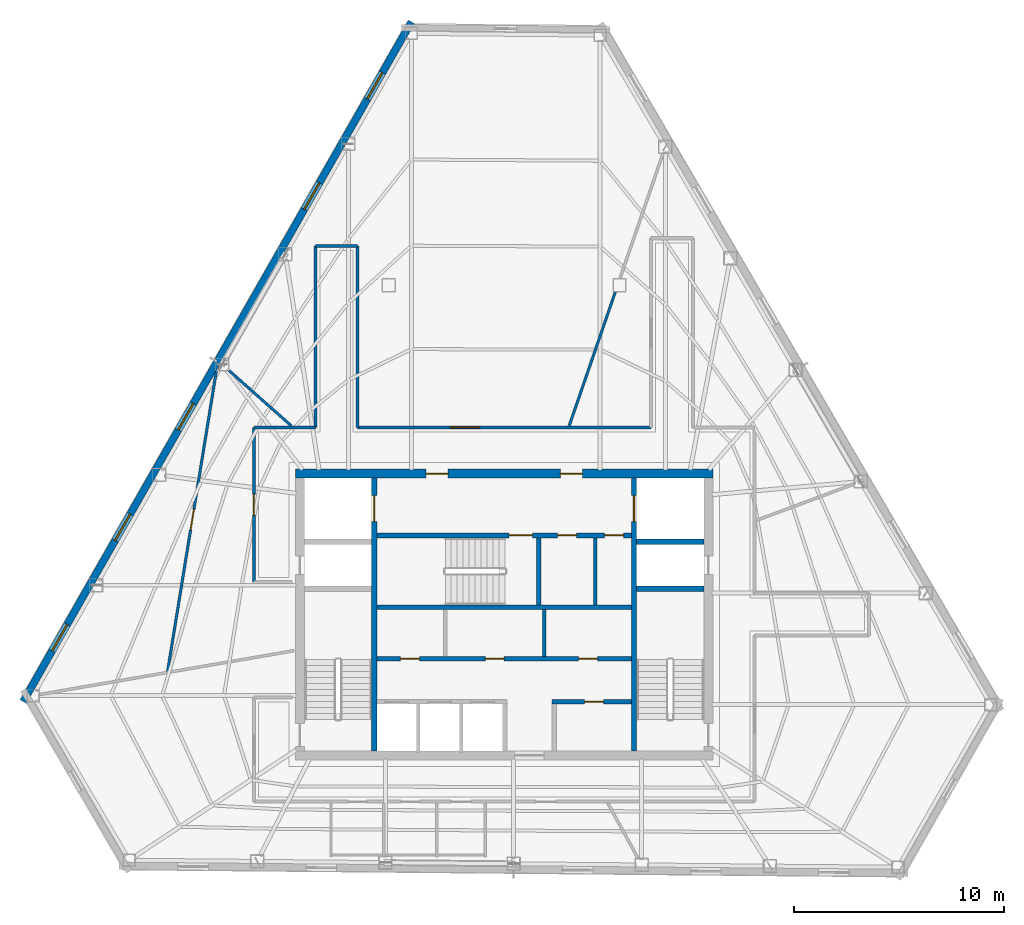
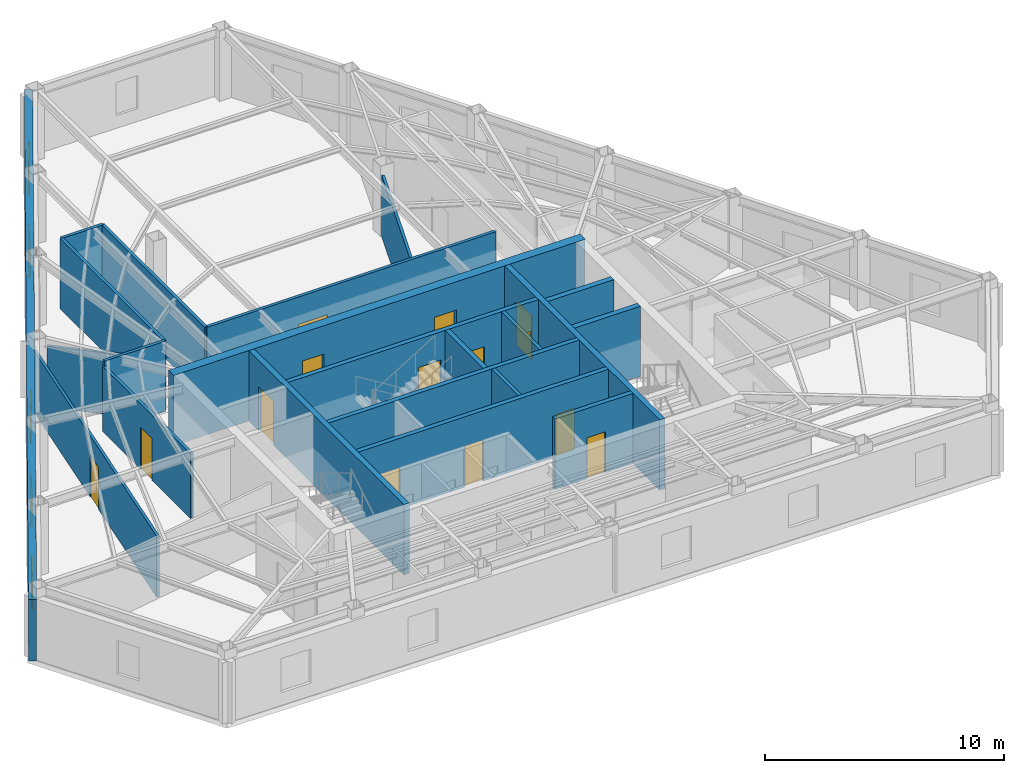
# One storey, part 8 of 11: 22 walls, 14 doors, 5 windows, 19 openings.
"""IFC4 building model written with IfcOpenShell, lengths in metres."""

import ifcopenshell
import ifcopenshell.guid

model = None  # the IFC model being written
_history = None  # IfcOwnerHistory: only IFC2X3 demands one
_inside = {}  # id of a spatial element -> (the spatial element, [elements in it])
_under = {}  # id of a project, library or spatial element -> (it, [spatial elements below it])
_declared = {}  # id of a project -> (the project, [libraries it declares])
_typed = {}  # id of a type object -> (the type object, [elements of that type])
_made_of = {}  # id of a material, layer set ... -> (it, [elements and type objects made of it])


def new_model(schema):
    """Start an empty IFC model of exactly this schema.

    Asked for "IFC4X3", IfcOpenShell would pick the latest addendum, in which some entities
    have other attributes; the version numbers below select the first issue.
    IFC2X3 requires an IfcOwnerHistory on every rooted entity: one is made here for all.
    """
    global model, _history
    if schema == "IFC4X3":
        model = ifcopenshell.file(schema_version=(4, 3, 0, 0))
    else:
        model = ifcopenshell.file(schema=schema)
    _inside.clear()
    _under.clear()
    _declared.clear()
    _typed.clear()
    _made_of.clear()
    _history = None
    if model.schema == "IFC2X3":
        org = make("IfcOrganization", Name="unknown")
        user = make(
            "IfcPersonAndOrganization",
            ThePerson=make("IfcPerson", FamilyName="unknown"),
            TheOrganization=org,
        )
        app = make(
            "IfcApplication",
            ApplicationDeveloper=org,
            Version="unknown",
            ApplicationFullName="unknown",
            ApplicationIdentifier="unknown",
        )
        _history = make(
            "IfcOwnerHistory",
            OwningUser=user,
            OwningApplication=app,
            ChangeAction="ADDED",
            CreationDate=0,
        )
    return model


def make(cls, **values):
    """One entity of the class cls with the attributes given. An attribute that is None is left unset."""
    return model.create_entity(
        cls, **{name: value for name, value in values.items() if value is not None}
    )


def rooted(cls, **values):
    """An entity with a GlobalId (a new one), such as an element, a storey or a relation."""
    return make(cls, GlobalId=ifcopenshell.guid.new(), OwnerHistory=_history, **values)


def si_unit(unit_type, name, prefix=None):
    """IfcSIUnit, for example si_unit("LENGTHUNIT", "METRE", prefix="MILLI")."""
    return make("IfcSIUnit", UnitType=unit_type, Prefix=prefix, Name=name)


def assignment(units):
    """IfcUnitAssignment: the units of a project."""
    return None if units is None else make("IfcUnitAssignment", Units=units)


def point(xyz):
    """IfcCartesianPoint."""
    return None if xyz is None else make("IfcCartesianPoint", Coordinates=xyz)


def direction(xyz):
    """IfcDirection."""
    return None if xyz is None else make("IfcDirection", DirectionRatios=xyz)


def frame(location, z_axis=None, x_axis=None):
    """IfcAxis2Placement3D, a coordinate frame: its origin and axes. An axis left out is left unset."""
    return make(
        "IfcAxis2Placement3D",
        Location=point(location),
        Axis=direction(z_axis),
        RefDirection=direction(x_axis),
    )


def frame_2d(location, x_axis=None):
    """IfcAxis2Placement2D, a coordinate frame in the plane: its origin and x axis."""
    return make(
        "IfcAxis2Placement2D", Location=point(location), RefDirection=direction(x_axis)
    )


def origin():
    """The frame at (0, 0, 0) with its axes left unset."""
    return frame((0.0, 0.0, 0.0))


def place(relative_to, where):
    """IfcLocalPlacement: puts the frame where relative to a parent placement (None: the world)."""
    return make(
        "IfcLocalPlacement", PlacementRelTo=relative_to, RelativePlacement=where
    )


def context(
    kind, dimensions, precision=None, world=None, true_north=None, identifier=None
):
    """IfcGeometricRepresentationContext, for example the 3D "Model" context."""
    return make(
        "IfcGeometricRepresentationContext",
        ContextIdentifier=identifier,
        ContextType=kind,
        CoordinateSpaceDimension=dimensions,
        Precision=precision,
        WorldCoordinateSystem=world,
        TrueNorth=true_north,
    )


def subcontext(parent, identifier, kind, view, scale=None):
    """IfcGeometricRepresentationSubContext, for example "Body" below "Model"."""
    return make(
        "IfcGeometricRepresentationSubContext",
        ContextIdentifier=identifier,
        ContextType=kind,
        ParentContext=parent,
        TargetScale=scale,
        TargetView=view,
    )


def project(units=None, contexts=None):
    """IfcProject with its units and contexts."""
    return rooted(
        "IfcProject",
        Name="project",
        RepresentationContexts=contexts,
        UnitsInContext=assignment(units),
    )


def spatial(cls, under=None, at=None, **own):
    """A site, building, storey or space (cls), placed at a placement, below another one or the project."""
    s = rooted(cls, ObjectPlacement=at, **own)
    if under is not None:
        _under.setdefault(under.id(), (under, []))[1].append(s)
    return s


def profile(cls, at=None, kind="AREA", **sizes):
    """A parametric profile (cls). Its sizes go by their IFC names, for example OverallWidth=200.0."""
    return make(cls, ProfileType=kind, Position=at, **sizes)


def rectangle(**sizes):
    """IfcRectangleProfileDef."""
    return profile("IfcRectangleProfileDef", **sizes)


def extrude(swept, where, along, depth):
    """IfcExtrudedAreaSolid: the profile swept, set in the frame where, extruded along a direction by depth."""
    return make(
        "IfcExtrudedAreaSolid",
        SweptArea=swept,
        Position=where,
        ExtrudedDirection=direction(along),
        Depth=depth,
    )


def shape(context_of_items, identifier, shape_type, items):
    """IfcShapeRepresentation: the items that make up one representation, for example the "Body"."""
    return make(
        "IfcShapeRepresentation",
        ContextOfItems=context_of_items,
        RepresentationIdentifier=identifier,
        RepresentationType=shape_type,
        Items=items,
    )


def material(Name=None, Category=None):
    """IfcMaterial."""
    return make("IfcMaterial", Name=Name, Category=Category)


def layer(
    of_material, thickness, ventilated=None, Name=None, Category=None, Priority=None
):
    """IfcMaterialLayer: one layer of a wall or slab, of a material (None: an air gap)."""
    return make(
        "IfcMaterialLayer",
        Material=of_material,
        LayerThickness=thickness,
        IsVentilated=ventilated,
        Name=Name,
        Category=Category,
        Priority=Priority,
    )


def layer_set(layers, Name=None):
    """IfcMaterialLayerSet."""
    return make("IfcMaterialLayerSet", MaterialLayers=layers, LayerSetName=Name)


def made_of(thing, what):
    """Note that an element or type object is made of a material, layer set ...; save() writes the relation."""
    if what is not None:
        _made_of.setdefault(what.id(), (what, []))[1].append(thing)
    return thing


def type_object(cls, material=None, **own):
    """A type object (cls), such as IfcWallType, which elements share."""
    return made_of(rooted(cls, **own), material)


def element(
    cls,
    number,
    at=None,
    inside=None,
    cuts=None,
    type_object=None,
    material=None,
    context=None,
    identifier="Body",
    shape_type=None,
    held_by="IfcProductDefinitionShape",
    body=None,
    shapes=None,
    **own,
):
    """One element of the class cls, such as IfcWall. Its Tag is "e" and its number.

    at: its placement. inside: the storey or other place that contains it. cuts: it is an
    opening in that element (IfcRelVoidsElement). A single representation is given by context,
    identifier, shape_type and body (its items); several are given by shapes. held_by: the class
    of the entity that holds the representations. save() writes the other relations.
    """
    e = rooted(cls, Tag="e%d" % number, ObjectPlacement=at, **own)
    if body is not None:
        shapes = [shape(context, identifier, shape_type, body)]
    if shapes is not None:
        e.Representation = make(held_by, Representations=shapes)
    if inside is not None:
        _inside.setdefault(inside.id(), (inside, []))[1].append(e)
    if cuts is not None:
        rooted(
            "IfcRelVoidsElement", RelatingBuildingElement=cuts, RelatedOpeningElement=e
        )
    if type_object is not None:
        _typed.setdefault(type_object.id(), (type_object, []))[1].append(e)
    return made_of(e, material)


def fill(opening, filler):
    """IfcRelFillsElement: the door or window that sits in an opening."""
    return rooted(
        "IfcRelFillsElement",
        RelatingOpeningElement=opening,
        RelatedBuildingElement=filler,
    )


def aggregate(whole, parts):
    """IfcRelAggregates: a whole, such as a stair, and the parts it consists of."""
    return rooted("IfcRelAggregates", RelatingObject=whole, RelatedObjects=parts)


def save(model, path):
    """Write the relations noted so far, then the file.

    IfcRelAggregates (storeys below a building ...), IfcRelContainedInSpatialStructure (elements
    in a storey), IfcRelDefinesByType, IfcRelAssociatesMaterial and IfcRelDeclares: one each for
    every whole, place, type object, material and project.
    """
    for whole, parts in _under.values():
        aggregate(whole, parts)
    for where, things in _inside.values():
        rooted(
            "IfcRelContainedInSpatialStructure",
            RelatedElements=things,
            RelatingStructure=where,
        )
    for kind, things in _typed.values():
        rooted("IfcRelDefinesByType", RelatedObjects=things, RelatingType=kind)
    for what, things in _made_of.values():
        rooted("IfcRelAssociatesMaterial", RelatedObjects=things, RelatingMaterial=what)
    for by, libraries in _declared.values():
        rooted("IfcRelDeclares", RelatingContext=by, RelatedDefinitions=libraries)
    model.write(path)


model = new_model("IFC4")

# Units and contexts
model_context = context("Model", 3, precision=1e-05, world=origin(), true_north=direction((0.0, 1.0)))
body_context = subcontext(model_context, "Body", "Model", "MODEL_VIEW")
ifc_project = project(units=[si_unit("LENGTHUNIT", "METRE"), si_unit("AREAUNIT", "SQUARE_METRE"), si_unit("VOLUMEUNIT", "CUBIC_METRE"), si_unit("PLANEANGLEUNIT", "RADIAN"), si_unit("MASSUNIT", "GRAM", prefix="KILO")], contexts=[model_context])

# Site, building, storey
site_placement = place(None, origin())
site = spatial("IfcSite", under=ifc_project, at=site_placement, CompositionType="ELEMENT")
building_placement = place(site_placement, origin())
building = spatial("IfcBuilding", under=site, at=building_placement, Name="Kavelnor Concourse Tower", CompositionType="ELEMENT")
storey_placement = place(building_placement, frame((0.0, 0.0, 184.25)))
storey = spatial("IfcBuildingStorey", under=building, at=storey_placement, Name="L46", CompositionType="ELEMENT", Elevation=184.25)

# Wall, openings, doors
ifc_material_1 = material(Name="Concrete C50/60", Category="concrete")
ifc_layer_1 = layer(ifc_material_1, 0.43994140625, Name="Concrete C50/60")
ifc_layer_set_1 = layer_set([ifc_layer_1], Name="Concrete C50/60")
wall_type_1 = type_object("IfcWallType", Name="WL-CORE-Z3-440", PredefinedType="SOLIDWALL", material=ifc_layer_set_1)
wall_1_placement = place(storey_placement, frame((28.0400390625, 22.820068359375, 0.0), z_axis=(0.0, 0.0, 1.0), x_axis=(1.0, 0.0, 0.0)))
wall_1 = element("IfcWall", 1, at=wall_1_placement, inside=storey, type_object=wall_type_1, Name="L46 Central Core North Shear Wall", PredefinedType="SOLIDWALL", context=body_context, shape_type="SweptSolid", body=[
    extrude(rectangle(XDim=19.919921875, YDim=0.43994140625, at=frame_2d((9.9599609375, 0.0))), origin(), (0.0, 0.0, 1.0), 3.60009765625),
])
opening_1_placement = place(wall_1_placement, frame((6.235107421875, 0.0, 0.0)))
opening_1 = element("IfcOpeningElement", 2, at=opening_1_placement, cuts=wall_1, Name="Opening FD-105", PredefinedType="OPENING", context=body_context, shape_type="SweptSolid", body=[
    extrude(rectangle(XDim=1.050048828125, YDim=2.14990234375, at=frame_2d((0.52490234375, 1.074951171875))), frame((0.0, 0.22998046875, 0.0), z_axis=(0.0, -1.0, 0.0), x_axis=(1.0, 0.0, 0.0)), (0.0, 0.0, 1.0), 0.4599609375),
])
opening_2_placement = place(wall_1_placement, frame((12.635009765625, 0.0, 0.0)))
opening_2 = element("IfcOpeningElement", 3, at=opening_2_placement, cuts=wall_1, Name="Opening FD-105", PredefinedType="OPENING", context=body_context, shape_type="SweptSolid", body=[
    extrude(rectangle(XDim=1.050048828125, YDim=2.14990234375, at=frame_2d((0.52490234375, 1.074951171875))), frame((0.0, 0.22998046875, 0.0), z_axis=(0.0, -1.0, 0.0), x_axis=(1.0, 0.0, 0.0)), (0.0, 0.0, 1.0), 0.4599609375),
])
ifc_material_2 = material(Name="Steel Grade 350", Category="steel")
door_type_1 = type_object("IfcDoorType", Name="DR-LOBBY-FIRE-1050", OperationType="NOTDEFINED", PredefinedType="DOOR", material=ifc_material_2)
door_1_placement = place(opening_1_placement, origin())
door_1 = element("IfcDoor", 4, at=door_1_placement, inside=storey, type_object=door_type_1, Name="L46 Emergency Lift Lobby West Door", OperationType="SINGLE_SWING_LEFT", OverallHeight=2.14990234375, OverallWidth=1.050048828125, PredefinedType="DOOR", context=body_context, shape_type="SweptSolid", body=[
    extrude(rectangle(XDim=1.050048828125, YDim=2.14990234375, at=frame_2d((0.52490234375, 1.074951171875))), frame((0.0, 0.02490234375, 0.0), z_axis=(0.0, -1.0, 0.0), x_axis=(1.0, 0.0, 0.0)), (0.0, 0.0, 1.0), 0.050048828125),
])
fill(opening_1, door_1)
door_2_placement = place(opening_2_placement, origin())
door_2 = element("IfcDoor", 5, at=door_2_placement, inside=storey, type_object=door_type_1, Name="L46 Emergency Lift Lobby East Door", OperationType="SINGLE_SWING_RIGHT", OverallHeight=2.14990234375, OverallWidth=1.050048828125, PredefinedType="DOOR", context=body_context, shape_type="SweptSolid", body=[
    extrude(rectangle(XDim=1.050048828125, YDim=2.14990234375, at=frame_2d((0.52490234375, 1.074951171875))), frame((0.0, 0.02490234375, 0.0), z_axis=(0.0, -1.0, 0.0), x_axis=(1.0, 0.0, 0.0)), (0.0, 0.0, 1.0), 0.050048828125),
])
fill(opening_2, door_2)

# Wall, openings, windows
ifc_material_3 = material(Name="Red-ochre clay face brick masonry", Category="masonry")
ifc_layer_2 = layer(ifc_material_3, 0.35009765625, Name="Red-ochre clay face brick masonry")
ifc_layer_set_2 = layer_set([ifc_layer_2], Name="Red-ochre clay face brick masonry")
wall_type_2 = type_object("IfcWallType", Name="WL-EXT-RED-BRICK-PIER-350", PredefinedType="STANDARD", material=ifc_layer_set_2)
wall_2_placement = place(storey_placement, frame((15.064208984375, 11.95263671875, 0.0), z_axis=(0.0, 0.0, 1.0), x_axis=(0.495993114815, 0.86832645362, 0.0)))
wall_2 = element("IfcWall", 6, at=wall_2_placement, inside=storey, type_object=wall_type_2, Name="L46 Exterior Brick Facade Wall E1", PredefinedType="STANDARD", context=body_context, shape_type="SweptSolid", body=[
    extrude(rectangle(XDim=37.323974609375, YDim=0.35009765625, at=frame_2d((18.662109375, 0.0))), origin(), (0.0, 0.0, 1.0), 3.132080078125),
])
opening_3_placement = place(wall_2_placement, frame((33.0869140625, 0.0, 0.64990234375)))
opening_3 = element("IfcOpeningElement", 7, at=opening_3_placement, cuts=wall_2, Name="Opening W-03", PredefinedType="OPENING", context=body_context, shape_type="SweptSolid", body=[
    extrude(rectangle(XDim=1.449951171875, YDim=1.75, at=frame_2d((0.72509765625, 0.875))), frame((0.0, 0.18505859375, 0.0), z_axis=(0.0, -1.0, 0.0), x_axis=(1.0, 0.0, 0.0)), (0.0, 0.0, 1.0), 0.3701171875),
])
opening_4_placement = place(wall_2_placement, frame((27.026123046875, 0.0, 0.64990234375)))
opening_4 = element("IfcOpeningElement", 8, at=opening_4_placement, cuts=wall_2, Name="Opening W-03", PredefinedType="OPENING", context=body_context, shape_type="SweptSolid", body=[
    extrude(rectangle(XDim=1.449951171875, YDim=1.75, at=frame_2d((0.72509765625, 0.875))), frame((0.0, 0.18505859375, 0.0), z_axis=(0.0, -1.0, 0.0), x_axis=(1.0, 0.0, 0.0)), (0.0, 0.0, 1.0), 0.3701171875),
])
opening_5_placement = place(wall_2_placement, frame((14.904296875, 0.0, 0.64990234375)))
opening_5 = element("IfcOpeningElement", 9, at=opening_5_placement, cuts=wall_2, Name="Opening W-03", PredefinedType="OPENING", context=body_context, shape_type="SweptSolid", body=[
    extrude(rectangle(XDim=1.449951171875, YDim=1.75, at=frame_2d((0.72509765625, 0.875))), frame((0.0, 0.18505859375, 0.0), z_axis=(0.0, -1.0, 0.0), x_axis=(1.0, 0.0, 0.0)), (0.0, 0.0, 1.0), 0.3701171875),
])
opening_6_placement = place(wall_2_placement, frame((8.843505859375, 0.0, 0.64990234375)))
opening_6 = element("IfcOpeningElement", 10, at=opening_6_placement, cuts=wall_2, Name="Opening W-03", PredefinedType="OPENING", context=body_context, shape_type="SweptSolid", body=[
    extrude(rectangle(XDim=1.449951171875, YDim=1.75, at=frame_2d((0.72509765625, 0.875))), frame((0.0, 0.18505859375, 0.0), z_axis=(0.0, -1.0, 0.0), x_axis=(1.0, 0.0, 0.0)), (0.0, 0.0, 1.0), 0.3701171875),
])
opening_7_placement = place(wall_2_placement, frame((2.782470703125, 0.0, 0.64990234375)))
opening_7 = element("IfcOpeningElement", 11, at=opening_7_placement, cuts=wall_2, Name="Opening W-03", PredefinedType="OPENING", context=body_context, shape_type="SweptSolid", body=[
    extrude(rectangle(XDim=1.449951171875, YDim=1.75, at=frame_2d((0.72509765625, 0.875))), frame((0.0, 0.18505859375, 0.0), z_axis=(0.0, -1.0, 0.0), x_axis=(1.0, 0.0, 0.0)), (0.0, 0.0, 1.0), 0.3701171875),
])
ifc_material_4 = material(Name="Double low-E argon insulated glazing", Category="glass")
window_type = type_object("IfcWindowType", Name="WIN-PIER-Z3-1500", PartitioningType="SINGLE_PANEL", PredefinedType="WINDOW", material=ifc_material_4)
window_1_placement = place(opening_3_placement, origin())
window_1 = element("IfcWindow", 12, at=window_1_placement, inside=storey, type_object=window_type, Name="L46 Deep-Set Brick Pier Window F0-B0", OverallHeight=1.75, OverallWidth=1.449951171875, PartitioningType="SINGLE_PANEL", PredefinedType="WINDOW", context=body_context, shape_type="SweptSolid", body=[
    extrude(rectangle(XDim=1.449951171875, YDim=1.75, at=frame_2d((0.72509765625, 0.875))), frame((0.0, 0.030029296875, 0.0), z_axis=(0.0, -1.0, 0.0), x_axis=(1.0, 0.0, 0.0)), (0.0, 0.0, 1.0), 0.06005859375),
])
fill(opening_3, window_1)
window_2_placement = place(opening_4_placement, origin())
window_2 = element("IfcWindow", 13, at=window_2_placement, inside=storey, type_object=window_type, Name="L46 Deep-Set Brick Pier Window F0-B1", OverallHeight=1.75, OverallWidth=1.449951171875, PartitioningType="SINGLE_PANEL", PredefinedType="WINDOW", context=body_context, shape_type="SweptSolid", body=[
    extrude(rectangle(XDim=1.449951171875, YDim=1.75, at=frame_2d((0.72509765625, 0.875))), frame((0.0, 0.030029296875, 0.0), z_axis=(0.0, -1.0, 0.0), x_axis=(1.0, 0.0, 0.0)), (0.0, 0.0, 1.0), 0.06005859375),
])
fill(opening_4, window_2)
window_3_placement = place(opening_5_placement, origin())
window_3 = element("IfcWindow", 14, at=window_3_placement, inside=storey, type_object=window_type, Name="L46 Deep-Set Brick Pier Window F0-B3", OverallHeight=1.75, OverallWidth=1.449951171875, PartitioningType="SINGLE_PANEL", PredefinedType="WINDOW", context=body_context, shape_type="SweptSolid", body=[
    extrude(rectangle(XDim=1.449951171875, YDim=1.75, at=frame_2d((0.72509765625, 0.875))), frame((0.0, 0.030029296875, 0.0), z_axis=(0.0, -1.0, 0.0), x_axis=(1.0, 0.0, 0.0)), (0.0, 0.0, 1.0), 0.06005859375),
])
fill(opening_5, window_3)
window_4_placement = place(opening_6_placement, origin())
window_4 = element("IfcWindow", 15, at=window_4_placement, inside=storey, type_object=window_type, Name="L46 Deep-Set Brick Pier Window F0-B4", OverallHeight=1.75, OverallWidth=1.449951171875, PartitioningType="SINGLE_PANEL", PredefinedType="WINDOW", context=body_context, shape_type="SweptSolid", body=[
    extrude(rectangle(XDim=1.449951171875, YDim=1.75, at=frame_2d((0.72509765625, 0.875))), frame((0.0, 0.030029296875, 0.0), z_axis=(0.0, -1.0, 0.0), x_axis=(1.0, 0.0, 0.0)), (0.0, 0.0, 1.0), 0.06005859375),
])
fill(opening_6, window_4)
window_5_placement = place(opening_7_placement, origin())
window_5 = element("IfcWindow", 16, at=window_5_placement, inside=storey, type_object=window_type, Name="L46 Deep-Set Brick Pier Window F0-B5", OverallHeight=1.75, OverallWidth=1.449951171875, PartitioningType="SINGLE_PANEL", PredefinedType="WINDOW", context=body_context, shape_type="SweptSolid", body=[
    extrude(rectangle(XDim=1.449951171875, YDim=1.75, at=frame_2d((0.72509765625, 0.875))), frame((0.0, 0.030029296875, 0.0), z_axis=(0.0, -1.0, 0.0), x_axis=(1.0, 0.0, 0.0)), (0.0, 0.0, 1.0), 0.06005859375),
])
fill(opening_7, window_5)

# Wall, opening, door
ifc_material_5 = material(Name="Gypsum plasterboard on light-gauge steel studs", Category="steel")
ifc_layer_3 = layer(ifc_material_5, 0.14501953125, Name="Gypsum plasterboard on light-gauge steel studs")
ifc_layer_set_3 = layer_set([ifc_layer_3], Name="Gypsum plasterboard on light-gauge steel studs")
wall_type_3 = type_object("IfcWallType", Name="WL-INT-CORR-145", PredefinedType="PARTITIONING", material=ifc_layer_set_3)
wall_3_placement = place(storey_placement, frame((26.06005859375, 17.64990234375, 0.0), z_axis=(0.0, 0.0, 1.0), x_axis=(0.0, 1.0, 0.0)))
wall_3 = element("IfcWall", 17, at=wall_3_placement, inside=storey, type_object=wall_type_3, Name="L46 Corridor Wall WL-L46-CR-02", PredefinedType="PARTITIONING", context=body_context, shape_type="SweptSolid", body=[
    extrude(rectangle(XDim=7.3701171875, YDim=0.14501953125, at=frame_2d((3.68505859375, 0.0))), origin(), (0.0, 0.0, 1.0), 3.339111328125),
])
opening_8_placement = place(wall_3_placement, frame((3.195068359375, 0.0, 0.0)))
opening_8 = element("IfcOpeningElement", 18, at=opening_8_placement, cuts=wall_3, Name="Opening OD-098", PredefinedType="OPENING", context=body_context, shape_type="SweptSolid", body=[
    extrude(rectangle(XDim=0.97998046875, YDim=2.14990234375, at=frame_2d((0.489990234375, 1.074951171875))), frame((0.0, 0.08251953125, 0.0), z_axis=(0.0, -1.0, 0.0), x_axis=(1.0, 0.0, 0.0)), (0.0, 0.0, 1.0), 0.1650390625),
])
ifc_material_6 = material(Name="Solid-core hardwood timber", Category="wood")
door_type_2 = type_object("IfcDoorType", Name="DR-OFFICE-980", OperationType="NOTDEFINED", PredefinedType="DOOR", material=ifc_material_6)
door_3_placement = place(opening_8_placement, origin())
door_3 = element("IfcDoor", 19, at=door_3_placement, inside=storey, type_object=door_type_2, Name="L46 Executive Dining Room 03 Door", OperationType="SINGLE_SWING_RIGHT", OverallHeight=2.14990234375, OverallWidth=0.97998046875, PredefinedType="DOOR", context=body_context, shape_type="SweptSolid", body=[
    extrude(rectangle(XDim=0.97998046875, YDim=2.14990234375, at=frame_2d((0.489990234375, 1.074951171875))), frame((0.0, 0.02490234375, 0.0), z_axis=(0.0, -1.0, 0.0), x_axis=(1.0, 0.0, 0.0)), (0.0, 0.0, 1.0), 0.050048828125),
])
fill(opening_8, door_3)

# Walls
wall_4_placement = place(storey_placement, frame((26.06005859375, 25.02001953125, 0.0), z_axis=(0.0, 0.0, 1.0), x_axis=(1.0, 0.0, 0.0)))
element("IfcWall", 20, at=wall_4_placement, inside=storey, type_object=wall_type_3, Name="L46 Corridor Wall WL-L46-CR-03", PredefinedType="PARTITIONING", context=body_context, shape_type="SweptSolid", body=[
    extrude(rectangle(XDim=2.93994140625, YDim=0.14501953125, at=frame_2d((1.469970703125, 0.0))), origin(), (0.0, 0.0, 1.0), 3.60009765625),
])
wall_5_placement = place(storey_placement, frame((29.0, 25.02001953125, 0.0), z_axis=(0.0, 0.0, 1.0), x_axis=(0.0, 1.0, 0.0)))
element("IfcWall", 21, at=wall_5_placement, inside=storey, type_object=wall_type_3, Name="L46 Corridor Wall WL-L46-CR-04", PredefinedType="PARTITIONING", context=body_context, shape_type="SweptSolid", body=[
    extrude(rectangle(XDim=8.661865234375, YDim=0.14501953125, at=frame_2d((4.3310546875, 0.0))), origin(), (0.0, 0.0, 1.0), 3.60009765625),
])
wall_6_placement = place(storey_placement, frame((29.0, 33.681884765625, 0.0), z_axis=(0.0, 0.0, 1.0), x_axis=(1.0, 0.0, 0.0)))
element("IfcWall", 22, at=wall_6_placement, inside=storey, type_object=wall_type_3, Name="L46 Corridor Wall WL-L46-CR-05", PredefinedType="PARTITIONING", context=body_context, shape_type="SweptSolid", body=[
    extrude(rectangle(XDim=2.0, YDim=0.14501953125, at=frame_2d((1.0, 0.0))), origin(), (0.0, 0.0, 1.0), 3.60009765625),
])
wall_7_placement = place(storey_placement, frame((31.0, 33.681884765625, 0.0), z_axis=(0.0, 0.0, 1.0), x_axis=(0.0, -1.0, 0.0)))
element("IfcWall", 23, at=wall_7_placement, inside=storey, type_object=wall_type_3, Name="L46 Corridor Wall WL-L46-CR-06", PredefinedType="PARTITIONING", context=body_context, shape_type="SweptSolid", body=[
    extrude(rectangle(XDim=8.661865234375, YDim=0.14501953125, at=frame_2d((4.3310546875, 0.0))), origin(), (0.0, 0.0, 1.0), 3.60009765625),
])

# Wall, opening, door
wall_8_placement = place(storey_placement, frame((31.0, 25.02001953125, 0.0), z_axis=(0.0, 0.0, 1.0), x_axis=(1.0, 0.0, 0.0)))
wall_8 = element("IfcWall", 24, at=wall_8_placement, inside=storey, type_object=wall_type_3, Name="L46 Corridor Wall WL-L46-CR-07", PredefinedType="PARTITIONING", context=body_context, shape_type="SweptSolid", body=[
    extrude(rectangle(XDim=14.0, YDim=0.14501953125, at=frame_2d((7.0, 0.0))), origin(), (0.0, 0.0, 1.0), 3.60009765625),
])
opening_9_placement = place(wall_8_placement, frame((4.434326171875, 0.0, 0.0)))
opening_9 = element("IfcOpeningElement", 25, at=opening_9_placement, cuts=wall_8, Name="Opening SD-140", PredefinedType="OPENING", context=body_context, shape_type="SweptSolid", body=[
    extrude(rectangle(XDim=1.39990234375, YDim=2.199951171875, at=frame_2d((0.699951171875, 1.10009765625))), frame((0.0, 0.08251953125, 0.0), z_axis=(0.0, -1.0, 0.0), x_axis=(1.0, 0.0, 0.0)), (0.0, 0.0, 1.0), 0.1650390625),
])
door_type_3 = type_object("IfcDoorType", Name="DR-SUITE-ENTRY-1400", OperationType="NOTDEFINED", PredefinedType="DOOR", material=ifc_material_6)
door_4_placement = place(opening_9_placement, origin())
door_4 = element("IfcDoor", 26, at=door_4_placement, inside=storey, type_object=door_type_3, Name="L46 Workplace Open Office 02 Door", OperationType="SINGLE_SWING_LEFT", OverallHeight=2.199951171875, OverallWidth=1.39990234375, PredefinedType="DOOR", context=body_context, shape_type="SweptSolid", body=[
    extrude(rectangle(XDim=1.39990234375, YDim=2.199951171875, at=frame_2d((0.699951171875, 1.10009765625))), frame((0.0, 0.02490234375, 0.0), z_axis=(0.0, -1.0, 0.0), x_axis=(1.0, 0.0, 0.0)), (0.0, 0.0, 1.0), 0.050048828125),
])
fill(opening_9, door_4)

# Walls
ifc_layer_4 = layer(ifc_material_5, 0.1650390625, Name="Gypsum plasterboard on light-gauge steel studs")
ifc_layer_set_4 = layer_set([ifc_layer_4], Name="Gypsum plasterboard on light-gauge steel studs")
wall_type_4 = type_object("IfcWallType", Name="WL-INT-FIRE-165", PredefinedType="PARTITIONING", material=ifc_layer_set_4)
wall_9_placement = place(storey_placement, frame((39.89990234375, 14.10009765625, 0.0), z_axis=(0.0, 0.0, 1.0), x_axis=(0.0, 1.0, 0.0)))
element("IfcWall", 27, at=wall_9_placement, inside=storey, type_object=wall_type_4, Name="L46 Reclaimed Core Partition B", PredefinedType="PARTITIONING", context=body_context, shape_type="SweptSolid", body=[
    extrude(rectangle(XDim=2.239990234375, YDim=0.1650390625, at=frame_2d((1.1201171875, 0.0))), origin(), (0.0, 0.0, 1.0), 3.60009765625),
])
wall_10_placement = place(storey_placement, frame((42.35009765625, 16.56005859375, 0.0), z_axis=(0.0, 0.0, 1.0), x_axis=(0.0, 1.0, 0.0)))
element("IfcWall", 28, at=wall_10_placement, inside=storey, type_object=wall_type_4, Name="L46 Core Support Asymmetric Divider", PredefinedType="PARTITIONING", context=body_context, shape_type="SweptSolid", body=[
    extrude(rectangle(XDim=3.199951171875, YDim=0.1650390625, at=frame_2d((1.60009765625, 0.0))), origin(), (0.0, 0.0, 1.0), 3.60009765625),
])
ifc_layer_5 = layer(ifc_material_5, 0.125, Name="Gypsum plasterboard on light-gauge steel studs")
ifc_layer_set_5 = layer_set([ifc_layer_5], Name="Gypsum plasterboard on light-gauge steel studs")
wall_type_5 = type_object("IfcWallType", Name="WL-INT-SUITE-125", PredefinedType="PARTITIONING", material=ifc_layer_set_5)
wall_11_placement = place(storey_placement, frame((41.1005859375, 25.1005859375, 0.0), z_axis=(0.0, 0.0, 1.0), x_axis=(0.325732757855, 0.945461882077, 0.0)))
element("IfcWall", 29, at=wall_11_placement, inside=storey, type_object=wall_type_5, Name="L46 Radial Suite Partition 02", PredefinedType="PARTITIONING", context=body_context, shape_type="SweptSolid", body=[
    extrude(rectangle(XDim=6.73876953125, YDim=0.125, at=frame_2d((3.369384765625, 0.0))), origin(), (0.0, 0.0, 1.0), 3.14111328125),
])
wall_12_placement = place(storey_placement, frame((27.848388671875, 25.1005859375, 0.0), z_axis=(0.0, 0.0, 1.0), x_axis=(-0.748288582972, 0.66337334631, 0.0)))
element("IfcWall", 30, at=wall_12_placement, inside=storey, type_object=wall_type_5, Name="L46 Radial Suite Partition 03", PredefinedType="PARTITIONING", context=body_context, shape_type="SweptSolid", body=[
    extrude(rectangle(XDim=3.96484375, YDim=0.125, at=frame_2d((1.982421875, 0.0))), origin(), (0.0, 0.0, 1.0), 3.14111328125),
])

# Wall, opening, door
wall_13_placement = place(storey_placement, frame((24.272705078125, 27.693603515625, 0.0), z_axis=(0.0, 0.0, 1.0), x_axis=(-0.160245052552, -0.987077263, 0.0)))
wall_13 = element("IfcWall", 31, at=wall_13_placement, inside=storey, type_object=wall_type_5, Name="L46 Suite Subdivision Partition 03", PredefinedType="PARTITIONING", context=body_context, shape_type="SweptSolid", body=[
    extrude(rectangle(XDim=14.530029296875, YDim=0.125, at=frame_2d((7.26513671875, 0.0))), origin(), (0.0, 0.0, 1.0), 3.135009765625),
])
opening_10_placement = place(wall_13_placement, frame((6.665283203125, 0.0, 0.0)))
opening_10 = element("IfcOpeningElement", 32, at=opening_10_placement, cuts=wall_13, Name="Opening OD-098", PredefinedType="OPENING", context=body_context, shape_type="SweptSolid", body=[
    extrude(rectangle(XDim=0.97998046875, YDim=2.14990234375, at=frame_2d((0.489990234375, 1.074951171875))), frame((0.0, 0.072509765625, 0.0), z_axis=(0.0, -1.0, 0.0), x_axis=(1.0, 0.0, 0.0)), (0.0, 0.0, 1.0), 0.14501953125),
])
door_5_placement = place(opening_10_placement, origin())
door_5 = element("IfcDoor", 33, at=door_5_placement, inside=storey, type_object=door_type_2, Name="L46 Technical Reference Library 04 Door", OperationType="SINGLE_SWING_LEFT", OverallHeight=2.14990234375, OverallWidth=0.97998046875, PredefinedType="DOOR", context=body_context, shape_type="SweptSolid", body=[
    extrude(rectangle(XDim=0.97998046875, YDim=2.14990234375, at=frame_2d((0.489990234375, 1.074951171875))), frame((0.0, 0.02490234375, 0.0), z_axis=(0.0, -1.0, 0.0), x_axis=(1.0, 0.0, 0.0)), (0.0, 0.0, 1.0), 0.050048828125),
])
fill(opening_10, door_5)

# Wall, openings, doors
ifc_layer_6 = layer(ifc_material_1, 0.219970703125, Name="Concrete C50/60")
ifc_layer_set_6 = layer_set([ifc_layer_6], Name="Concrete C50/60")
wall_type_6 = type_object("IfcWallType", Name="WL-SHAFT-220", PredefinedType="SOLIDWALL", material=ifc_layer_set_6)
wall_14_placement = place(storey_placement, frame((31.93994140625, 19.8701171875, 0.0), z_axis=(0.0, 0.0, 1.0), x_axis=(1.0, 0.0, 0.0)))
wall_14 = element("IfcWall", 34, at=wall_14_placement, inside=storey, type_object=wall_type_6, Name="L46 Emergency Lift Lobby South Wall", PredefinedType="SOLIDWALL", context=body_context, shape_type="SweptSolid", body=[
    extrude(rectangle(XDim=12.1201171875, YDim=0.219970703125, at=frame_2d((6.06005859375, 0.0))), origin(), (0.0, 0.0, 1.0), 3.60009765625),
])
opening_11_placement = place(wall_14_placement, frame((6.300048828125, 0.0, 0.0)))
opening_11 = element("IfcOpeningElement", 35, at=opening_11_placement, cuts=wall_14, Name="Opening FD-110", PredefinedType="OPENING", context=body_context, shape_type="SweptSolid", body=[
    extrude(rectangle(XDim=1.10009765625, YDim=2.14990234375, at=frame_2d((0.550048828125, 1.074951171875))), frame((0.0, 0.1201171875, 0.0), z_axis=(0.0, -1.0, 0.0), x_axis=(1.0, 0.0, 0.0)), (0.0, 0.0, 1.0), 0.239990234375),
])
opening_12_placement = place(wall_14_placement, frame((8.610107421875, 0.0, 0.0)))
opening_12 = element("IfcOpeningElement", 36, at=opening_12_placement, cuts=wall_14, Name="Opening FD-090", PredefinedType="OPENING", context=body_context, shape_type="SweptSolid", body=[
    extrude(rectangle(XDim=0.89990234375, YDim=2.10009765625, at=frame_2d((0.449951171875, 1.050048828125))), frame((0.0, 0.1201171875, 0.0), z_axis=(0.0, -1.0, 0.0), x_axis=(1.0, 0.0, 0.0)), (0.0, 0.0, 1.0), 0.239990234375),
])
opening_13_placement = place(wall_14_placement, frame((10.85009765625, 0.0, 0.0)))
opening_13 = element("IfcOpeningElement", 37, at=opening_13_placement, cuts=wall_14, Name="Opening FD-090", PredefinedType="OPENING", context=body_context, shape_type="SweptSolid", body=[
    extrude(rectangle(XDim=0.89990234375, YDim=2.10009765625, at=frame_2d((0.449951171875, 1.050048828125))), frame((0.0, 0.1201171875, 0.0), z_axis=(0.0, -1.0, 0.0), x_axis=(1.0, 0.0, 0.0)), (0.0, 0.0, 1.0), 0.239990234375),
])
door_type_4 = type_object("IfcDoorType", Name="DR-RISER-FIRE-900", OperationType="NOTDEFINED", PredefinedType="DOOR", material=ifc_material_2)
door_6_placement = place(opening_12_placement, origin())
door_6 = element("IfcDoor", 38, at=door_6_placement, inside=storey, type_object=door_type_4, Name="L46 Electrical Room Door", OperationType="SINGLE_SWING_LEFT", OverallHeight=2.10009765625, OverallWidth=0.89990234375, PredefinedType="DOOR", context=body_context, shape_type="SweptSolid", body=[
    extrude(rectangle(XDim=0.89990234375, YDim=2.10009765625, at=frame_2d((0.449951171875, 1.050048828125))), frame((0.0, 0.02490234375, 0.0), z_axis=(0.0, -1.0, 0.0), x_axis=(1.0, 0.0, 0.0)), (0.0, 0.0, 1.0), 0.050048828125),
])
fill(opening_12, door_6)
door_7_placement = place(opening_13_placement, origin())
door_7 = element("IfcDoor", 39, at=door_7_placement, inside=storey, type_object=door_type_4, Name="L46 Cleaner Store Door", OperationType="SINGLE_SWING_RIGHT", OverallHeight=2.10009765625, OverallWidth=0.89990234375, PredefinedType="DOOR", context=body_context, shape_type="SweptSolid", body=[
    extrude(rectangle(XDim=0.89990234375, YDim=2.10009765625, at=frame_2d((0.449951171875, 1.050048828125))), frame((0.0, 0.02490234375, 0.0), z_axis=(0.0, -1.0, 0.0), x_axis=(1.0, 0.0, 0.0)), (0.0, 0.0, 1.0), 0.050048828125),
])
fill(opening_13, door_7)
door_type_5 = type_object("IfcDoorType", Name="DR-STAIR-FIRE-1100", OperationType="NOTDEFINED", PredefinedType="DOOR", material=ifc_material_2)
door_8_placement = place(opening_11_placement, origin())
door_8 = element("IfcDoor", 40, at=door_8_placement, inside=storey, type_object=door_type_5, Name="L46 Stair ST3 Fire Door", OperationType="SINGLE_SWING_LEFT", OverallHeight=2.14990234375, OverallWidth=1.10009765625, PredefinedType="DOOR", context=body_context, shape_type="SweptSolid", body=[
    extrude(rectangle(XDim=1.10009765625, YDim=2.14990234375, at=frame_2d((0.550048828125, 1.074951171875))), frame((0.0, 0.02490234375, 0.0), z_axis=(0.0, -1.0, 0.0), x_axis=(1.0, 0.0, 0.0)), (0.0, 0.0, 1.0), 0.050048828125),
])
fill(opening_11, door_8)

# Walls
wall_15_placement = place(storey_placement, frame((31.93994140625, 16.449951171875, 0.0), z_axis=(0.0, 0.0, 1.0), x_axis=(1.0, 0.0, 0.0)))
element("IfcWall", 41, at=wall_15_placement, inside=storey, type_object=wall_type_6, Name="L46 Stair ST3 South Core Wall", PredefinedType="SOLIDWALL", context=body_context, shape_type="SweptSolid", body=[
    extrude(rectangle(XDim=12.1201171875, YDim=0.219970703125, at=frame_2d((6.06005859375, 0.0))), origin(), (0.0, 0.0, 1.0), 3.60009765625),
])
wall_16_placement = place(storey_placement, frame((39.64990234375, 16.56005859375, 0.0), z_axis=(0.0, 0.0, 1.0), x_axis=(0.0, 1.0, 0.0)))
element("IfcWall", 42, at=wall_16_placement, inside=storey, type_object=wall_type_6, Name="L46 Stair ST3 East Core Wall", PredefinedType="SOLIDWALL", context=body_context, shape_type="SweptSolid", body=[
    extrude(rectangle(XDim=3.199951171875, YDim=0.219970703125, at=frame_2d((1.60009765625, 0.0))), origin(), (0.0, 0.0, 1.0), 3.60009765625),
])

# Wall, openings, doors
wall_17_placement = place(storey_placement, frame((31.93994140625, 13.989990234375, 0.0), z_axis=(0.0, 0.0, 1.0), x_axis=(1.0, 0.0, 0.0)))
wall_17 = element("IfcWall", 43, at=wall_17_placement, inside=storey, type_object=wall_type_6, Name="L46 North Lift Row Shaft Wall", PredefinedType="SOLIDWALL", context=body_context, shape_type="SweptSolid", body=[
    extrude(rectangle(XDim=12.1201171875, YDim=0.219970703125, at=frame_2d((6.06005859375, 0.0))), origin(), (0.0, 0.0, 1.0), 3.60009765625),
])
opening_14_placement = place(wall_17_placement, frame((1.110107421875, 0.0, 0.0)))
opening_14 = element("IfcOpeningElement", 44, at=opening_14_placement, cuts=wall_17, Name="Opening FD-090", PredefinedType="OPENING", context=body_context, shape_type="SweptSolid", body=[
    extrude(rectangle(XDim=0.89990234375, YDim=2.10009765625, at=frame_2d((0.449951171875, 1.050048828125))), frame((0.0, 0.1201171875, 0.0), z_axis=(0.0, -1.0, 0.0), x_axis=(1.0, 0.0, 0.0)), (0.0, 0.0, 1.0), 0.239990234375),
])
opening_15_placement = place(wall_17_placement, frame((5.159912109375, 0.0, 0.0)))
opening_15 = element("IfcOpeningElement", 45, at=opening_15_placement, cuts=wall_17, Name="Opening FD-090", PredefinedType="OPENING", context=body_context, shape_type="SweptSolid", body=[
    extrude(rectangle(XDim=0.89990234375, YDim=2.10009765625, at=frame_2d((0.449951171875, 1.050048828125))), frame((0.0, 0.1201171875, 0.0), z_axis=(0.0, -1.0, 0.0), x_axis=(1.0, 0.0, 0.0)), (0.0, 0.0, 1.0), 0.239990234375),
])
opening_16_placement = place(wall_17_placement, frame((9.610107421875, 0.0, 0.0)))
opening_16 = element("IfcOpeningElement", 46, at=opening_16_placement, cuts=wall_17, Name="Opening FD-090", PredefinedType="OPENING", context=body_context, shape_type="SweptSolid", body=[
    extrude(rectangle(XDim=0.89990234375, YDim=2.10009765625, at=frame_2d((0.449951171875, 1.050048828125))), frame((0.0, 0.1201171875, 0.0), z_axis=(0.0, -1.0, 0.0), x_axis=(1.0, 0.0, 0.0)), (0.0, 0.0, 1.0), 0.239990234375),
])
door_9_placement = place(opening_14_placement, origin())
door_9 = element("IfcDoor", 47, at=door_9_placement, inside=storey, type_object=door_type_4, Name="L46 Reclaimed Core Door A", OperationType="SINGLE_SWING_RIGHT", OverallHeight=2.10009765625, OverallWidth=0.89990234375, PredefinedType="DOOR", context=body_context, shape_type="SweptSolid", body=[
    extrude(rectangle(XDim=0.89990234375, YDim=2.10009765625, at=frame_2d((0.449951171875, 1.050048828125))), frame((0.0, 0.02490234375, 0.0), z_axis=(0.0, -1.0, 0.0), x_axis=(1.0, 0.0, 0.0)), (0.0, 0.0, 1.0), 0.050048828125),
])
fill(opening_14, door_9)
door_10_placement = place(opening_15_placement, origin())
door_10 = element("IfcDoor", 48, at=door_10_placement, inside=storey, type_object=door_type_4, Name="L46 Reclaimed Core Door B", OperationType="SINGLE_SWING_LEFT", OverallHeight=2.10009765625, OverallWidth=0.89990234375, PredefinedType="DOOR", context=body_context, shape_type="SweptSolid", body=[
    extrude(rectangle(XDim=0.89990234375, YDim=2.10009765625, at=frame_2d((0.449951171875, 1.050048828125))), frame((0.0, 0.02490234375, 0.0), z_axis=(0.0, -1.0, 0.0), x_axis=(1.0, 0.0, 0.0)), (0.0, 0.0, 1.0), 0.050048828125),
])
fill(opening_15, door_10)
door_11_placement = place(opening_16_placement, origin())
door_11 = element("IfcDoor", 49, at=door_11_placement, inside=storey, type_object=door_type_4, Name="L46 Reclaimed Core Door C", OperationType="SINGLE_SWING_RIGHT", OverallHeight=2.10009765625, OverallWidth=0.89990234375, PredefinedType="DOOR", context=body_context, shape_type="SweptSolid", body=[
    extrude(rectangle(XDim=0.89990234375, YDim=2.10009765625, at=frame_2d((0.449951171875, 1.050048828125))), frame((0.0, 0.02490234375, 0.0), z_axis=(0.0, -1.0, 0.0), x_axis=(1.0, 0.0, 0.0)), (0.0, 0.0, 1.0), 0.050048828125),
])
fill(opening_16, door_11)

# Wall, opening, door
wall_18_placement = place(storey_placement, frame((40.280029296875, 11.949951171875, 0.0), z_axis=(0.0, 0.0, 1.0), x_axis=(1.0, 0.0, 0.0)))
wall_18 = element("IfcWall", 50, at=wall_18_placement, inside=storey, type_object=wall_type_6, Name="L46 Core South Support North Wall", PredefinedType="SOLIDWALL", context=body_context, shape_type="SweptSolid", body=[
    extrude(rectangle(XDim=3.780029296875, YDim=0.219970703125, at=frame_2d((1.89013671875, 0.0))), origin(), (0.0, 0.0, 1.0), 3.60009765625),
])
opening_17_placement = place(wall_18_placement, frame((1.550048828125, 0.0, 0.0)))
opening_17 = element("IfcOpeningElement", 51, at=opening_17_placement, cuts=wall_18, Name="Opening FD-090", PredefinedType="OPENING", context=body_context, shape_type="SweptSolid", body=[
    extrude(rectangle(XDim=0.89990234375, YDim=2.10009765625, at=frame_2d((0.449951171875, 1.050048828125))), frame((0.0, 0.1201171875, 0.0), z_axis=(0.0, -1.0, 0.0), x_axis=(1.0, 0.0, 0.0)), (0.0, 0.0, 1.0), 0.239990234375),
])
door_12_placement = place(opening_17_placement, origin())
door_12 = element("IfcDoor", 52, at=door_12_placement, inside=storey, type_object=door_type_4, Name="L46 Core Utility Store Door", OperationType="SINGLE_SWING_LEFT", OverallHeight=2.10009765625, OverallWidth=0.89990234375, PredefinedType="DOOR", context=body_context, shape_type="SweptSolid", body=[
    extrude(rectangle(XDim=0.89990234375, YDim=2.10009765625, at=frame_2d((0.449951171875, 1.050048828125))), frame((0.0, 0.02490234375, 0.0), z_axis=(0.0, -1.0, 0.0), x_axis=(1.0, 0.0, 0.0)), (0.0, 0.0, 1.0), 0.050048828125),
])
fill(opening_17, door_12)

ifc_layer_7 = layer(ifc_material_1, 0.260009765625, Name="Concrete C50/60")
ifc_layer_set_7 = layer_set([ifc_layer_7], Name="Concrete C50/60")
wall_type_7 = type_object("IfcWallType", Name="WL-SHAFT-260", PredefinedType="SHEAR", material=ifc_layer_set_7)
wall_19_placement = place(storey_placement, frame((31.81005859375, 9.60009765625, 0.0), z_axis=(0.0, 0.0, 1.0), x_axis=(0.0, 1.0, 0.0)))
wall_19 = element("IfcWall", 53, at=wall_19_placement, inside=storey, type_object=wall_type_7, Name="L46 Core West Wing Shear Wall", PredefinedType="SHEAR", context=body_context, shape_type="SweptSolid", body=[
    extrude(rectangle(XDim=13.0, YDim=0.260009765625, at=frame_2d((6.5, 0.0))), origin(), (0.0, 0.0, 1.0), 3.60009765625),
])
opening_18_placement = place(wall_19_placement, frame((10.925048828125, 0.0, 0.0)))
opening_18 = element("IfcOpeningElement", 54, at=opening_18_placement, cuts=wall_19, Name="Opening LD-125", PredefinedType="OPENING", context=body_context, shape_type="SweptSolid", body=[
    extrude(rectangle(XDim=1.25, YDim=2.25, at=frame_2d((0.625, 1.125))), frame((0.0, 0.14013671875, 0.0), z_axis=(0.0, -1.0, 0.0), x_axis=(1.0, 0.0, 0.0)), (0.0, 0.0, 1.0), 0.280029296875),
])
door_type_6 = type_object("IfcDoorType", Name="DR-LIFT-SLIDING-1250", OperationType="NOTDEFINED", PredefinedType="DOOR", material=ifc_material_2)
door_13_placement = place(opening_18_placement, origin())
door_13 = element("IfcDoor", 55, at=door_13_placement, inside=storey, type_object=door_type_6, Name="L46 Emergency Lift FL1 Landing Door", OperationType="DOUBLE_DOOR_SLIDING", OverallHeight=2.25, OverallWidth=1.25, PredefinedType="DOOR", context=body_context, shape_type="SweptSolid", body=[
    extrude(rectangle(XDim=1.25, YDim=2.25, at=frame_2d((0.625, 1.125))), frame((0.0, 0.02490234375, 0.0), z_axis=(0.0, -1.0, 0.0), x_axis=(1.0, 0.0, 0.0)), (0.0, 0.0, 1.0), 0.050048828125),
])
fill(opening_18, door_13)

wall_20_placement = place(storey_placement, frame((44.18994140625, 9.60009765625, 0.0), z_axis=(0.0, 0.0, 1.0), x_axis=(0.0, 1.0, 0.0)))
wall_20 = element("IfcWall", 56, at=wall_20_placement, inside=storey, type_object=wall_type_7, Name="L46 Core East Wing Shear Wall", PredefinedType="SHEAR", context=body_context, shape_type="SweptSolid", body=[
    extrude(rectangle(XDim=13.0, YDim=0.260009765625, at=frame_2d((6.5, 0.0))), origin(), (0.0, 0.0, 1.0), 3.60009765625),
])
opening_19_placement = place(wall_20_placement, frame((10.925048828125, 0.0, 0.0)))
opening_19 = element("IfcOpeningElement", 57, at=opening_19_placement, cuts=wall_20, Name="Opening LD-125", PredefinedType="OPENING", context=body_context, shape_type="SweptSolid", body=[
    extrude(rectangle(XDim=1.25, YDim=2.25, at=frame_2d((0.625, 1.125))), frame((0.0, 0.14013671875, 0.0), z_axis=(0.0, -1.0, 0.0), x_axis=(1.0, 0.0, 0.0)), (0.0, 0.0, 1.0), 0.280029296875),
])
door_14_placement = place(opening_19_placement, origin())
door_14 = element("IfcDoor", 58, at=door_14_placement, inside=storey, type_object=door_type_6, Name="L46 Emergency Lift FL2 Landing Door", OperationType="DOUBLE_DOOR_SLIDING", OverallHeight=2.25, OverallWidth=1.25, PredefinedType="DOOR", context=body_context, shape_type="SweptSolid", body=[
    extrude(rectangle(XDim=1.25, YDim=2.25, at=frame_2d((0.625, 1.125))), frame((0.0, 0.02490234375, 0.0), z_axis=(0.0, -1.0, 0.0), x_axis=(1.0, 0.0, 0.0)), (0.0, 0.0, 1.0), 0.050048828125),
])
fill(opening_19, door_14)

# Walls
for number, where, z_axis, x_axis, name in (
    (59, (44.320068359375, 17.330078125, 0.0), (0.0, 0.0, 1.0), (1.0, 0.0, 0.0), "L46 Stair ST2 North Shaft Wall"),
    (60, (44.320068359375, 19.570068359375, 0.0), (0.0, 0.0, 1.0), (1.0, 0.0, 0.0), "L46 Emergency Lift FL2 South Shaft Wall"),
):
    element("IfcWall", number, at=place(storey_placement, frame(where, z_axis=z_axis, x_axis=x_axis)), inside=storey, type_object=wall_type_7, Name=name, PredefinedType="SHEAR", context=body_context, shape_type="SweptSolid", body=[
        extrude(rectangle(XDim=3.199951171875, YDim=0.260009765625, at=frame_2d((1.60009765625, 0.0))), origin(), (0.0, 0.0, 1.0), 3.60009765625),
    ])

save(model, "model.ifc")
